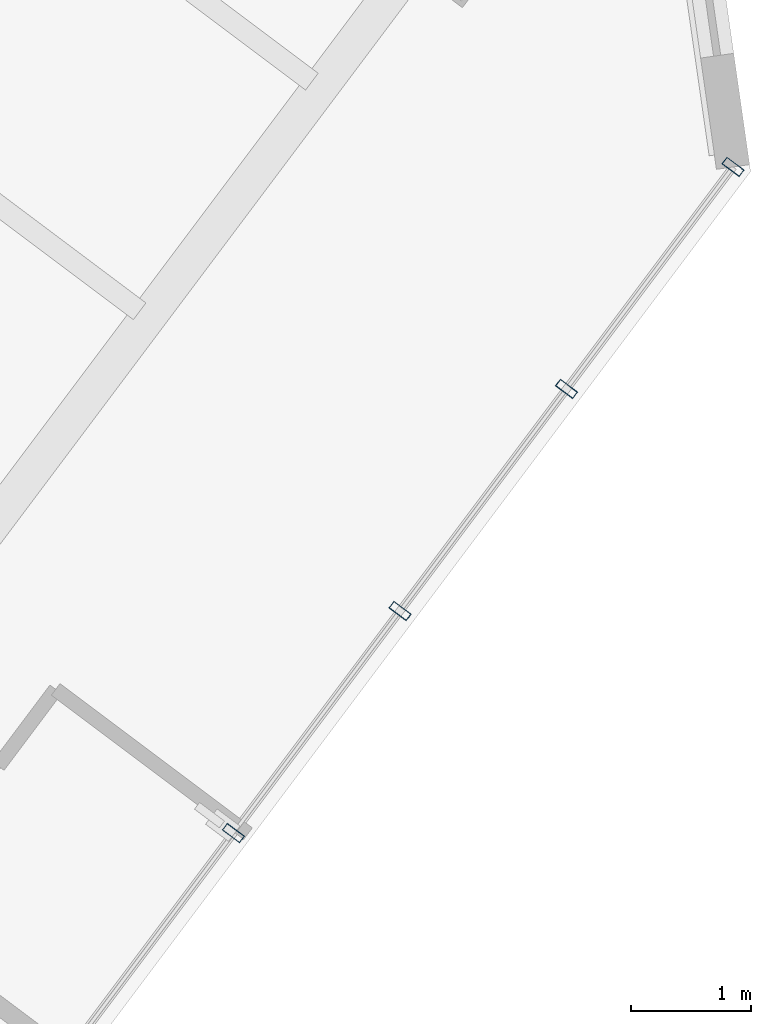
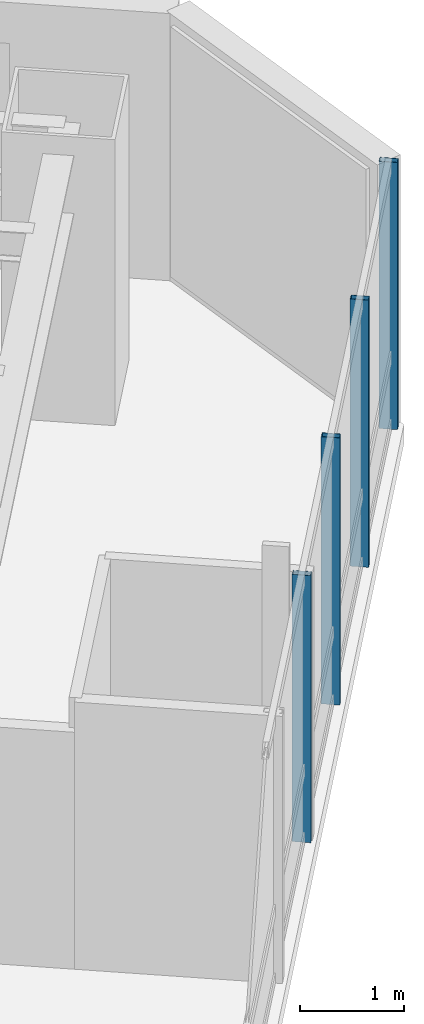
# One storey, part 19 of 37: 4 members, 1 element without a shape of its own.
"""IFC4 building model written with IfcOpenShell, lengths in metres."""

from ifc_helpers import new_model, si_unit, direction, frame, origin, origin_2d, place, context, subcontext, project, spatial, hollow_rectangle, extrude, material, layer, layer_set, material_profile, profile_set, type_object, element, aggregate, save


model = new_model("IFC4")

# Units and contexts
model_context = context("Model", 3, precision=1e-05, world=origin(), true_north=direction((0.0, 1.0)))
body_context = subcontext(model_context, "Body", "Model", "MODEL_VIEW")
ifc_project = project(units=[si_unit("LENGTHUNIT", "METRE"), si_unit("AREAUNIT", "SQUARE_METRE"), si_unit("VOLUMEUNIT", "CUBIC_METRE"), si_unit("PLANEANGLEUNIT", "RADIAN"), si_unit("MASSUNIT", "GRAM", prefix="KILO")], contexts=[model_context])

# Site, building, storey
site_placement = place(None, origin())
site = spatial("IfcSite", under=ifc_project, at=site_placement, CompositionType="ELEMENT")
building_placement = place(site_placement, origin())
building = spatial("IfcBuilding", under=site, at=building_placement, Name="Hatsunagi Terrace Concourse", CompositionType="ELEMENT")
storey_placement = place(building_placement, frame((0.0, 0.0, 39.949951171875)))
storey = spatial("IfcBuildingStorey", under=building, at=storey_placement, Name="L09", CompositionType="ELEMENT", Elevation=39.949951171875)

# Curtain wall, members
ifc_material_1 = material(Name="Anodised Aluminium Alloy 6063-T5", Category="aluminium")
ifc_layer = layer(ifc_material_1, 0.199951171875)
ifc_layer_set = layer_set([ifc_layer], Name="HotelFacade_CW02")
curtain_wall_type = type_object("IfcCurtainWallType", Name="HotelFacade_CW02", PredefinedType="NOTDEFINED", material=ifc_layer_set)
curtain_wall_placement = place(storey_placement, origin())
curtain_wall = element("IfcCurtainWall", 1, at=curtain_wall_placement, inside=storey, type_object=curtain_wall_type, Name="Unitised Curtain Wall CW-02 CW-L09-03", PredefinedType="NOTDEFINED")
ifc_material_2 = material(Name="Anodised Aluminium Alloy 6063-T5", Category="aluminium")
ifc_material_profile = material_profile(ifc_material_2, hollow_rectangle(XDim=0.070068359375, YDim=0.179931640625, WallThickness=0.00390625, at=origin_2d()), Name="ALU-MUL-180x70x4")
ifc_profile_set = profile_set([ifc_material_profile], Name="Anodised Aluminium Alloy 6063-T5")
member_type = type_object("IfcMemberType", Name="CurtainWallMullion_180x70", PredefinedType="MULLION", material=ifc_profile_set)
member_1_placement = place(storey_placement, frame((69.093017578125, 19.657958984375, 0.0), z_axis=(0.0, 0.0, 1.0), x_axis=(-0.599969314634, -0.800023013105, 0.0)))
member_1 = element("IfcMember", 2, at=member_1_placement, type_object=member_type, Name="Curtain Wall Mullion MUL-02", PredefinedType="MULLION", context=body_context, shape_type="SweptSolid", body=[
    extrude(hollow_rectangle(XDim=0.070068359375, YDim=0.179931640625, WallThickness=0.00390625, at=origin_2d()), origin(), (0.0, 0.0, 1.0), 3.130126953125),
])
member_2_placement = place(storey_placement, frame((67.700927734375, 17.802001953125, 0.0), z_axis=(0.0, 0.0, 1.0), x_axis=(-0.599969314634, -0.800023013105, 0.0)))
member_2 = element("IfcMember", 3, at=member_2_placement, type_object=member_type, Name="Curtain Wall Mullion MUL-02", PredefinedType="MULLION", context=body_context, shape_type="SweptSolid", body=[
    extrude(hollow_rectangle(XDim=0.070068359375, YDim=0.179931640625, WallThickness=0.00390625, at=origin_2d()), origin(), (0.0, 0.0, 1.0), 3.130126953125),
])
member_3_placement = place(storey_placement, frame((66.30908203125, 15.945068359375, 0.0), z_axis=(0.0, 0.0, 1.0), x_axis=(-0.599969314634, -0.800023013105, 0.0)))
member_3 = element("IfcMember", 4, at=member_3_placement, type_object=member_type, Name="Curtain Wall Mullion MUL-02", PredefinedType="MULLION", context=body_context, shape_type="SweptSolid", body=[
    extrude(hollow_rectangle(XDim=0.070068359375, YDim=0.179931640625, WallThickness=0.00390625, at=origin_2d()), origin(), (0.0, 0.0, 1.0), 3.130126953125),
])
member_4_placement = place(storey_placement, frame((64.916015625, 14.089111328125, 0.0), z_axis=(0.0, 0.0, 1.0), x_axis=(-0.599969314634, -0.800023013105, 0.0)))
member_4 = element("IfcMember", 5, at=member_4_placement, type_object=member_type, Name="Curtain Wall Mullion MUL-02", PredefinedType="MULLION", context=body_context, shape_type="SweptSolid", body=[
    extrude(hollow_rectangle(XDim=0.070068359375, YDim=0.179931640625, WallThickness=0.00390625, at=origin_2d()), origin(), (0.0, 0.0, 1.0), 3.130126953125),
])
aggregate(curtain_wall, [member_1, member_2, member_3, member_4])

save(model, "model.ifc")
